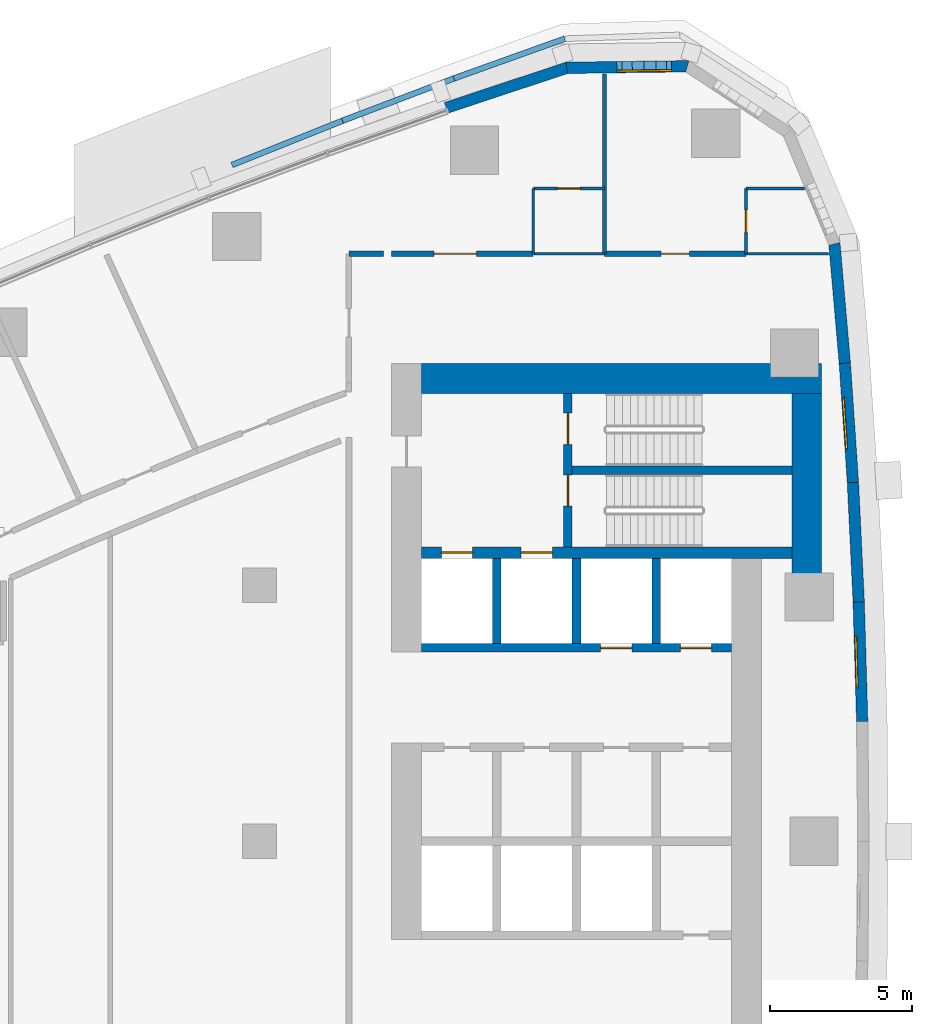
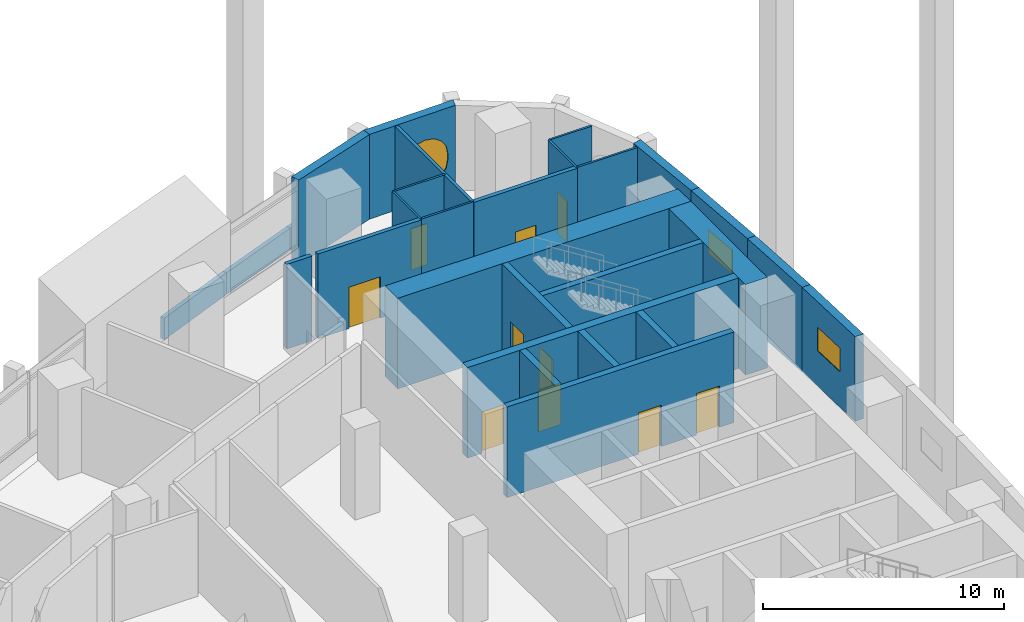
# One storey, part 11 of 17: 28 walls, 10 doors, 3 windows, 13 openings.
"""IFC4 building model written with IfcOpenShell, lengths in metres."""

from ifc_helpers import new_model, si_unit, direction, frame, frame_2d, origin, place, context, subcontext, project, spatial, polyline, rectangle, outline, extrude, material, layer, layer_set, type_object, element, fill, save


model = new_model("IFC4")

# Units and contexts
model_context = context("Model", 3, precision=1e-05, world=origin(), true_north=direction((0.0, 1.0)))
body_context = subcontext(model_context, "Body", "Model", "MODEL_VIEW")
ifc_project = project(units=[si_unit("LENGTHUNIT", "METRE"), si_unit("AREAUNIT", "SQUARE_METRE"), si_unit("VOLUMEUNIT", "CUBIC_METRE"), si_unit("PLANEANGLEUNIT", "RADIAN"), si_unit("MASSUNIT", "GRAM", prefix="KILO")], contexts=[model_context])

# Site, building, storey
site_placement = place(None, origin())
site = spatial("IfcSite", under=ifc_project, at=site_placement, CompositionType="ELEMENT")
building_placement = place(site_placement, origin())
building = spatial("IfcBuilding", under=site, at=building_placement, Name="Ostrand Prow Hotel Tower", CompositionType="ELEMENT")
storey_placement = place(building_placement, frame((0.0, 0.0, 80.300048828125)))
storey = spatial("IfcBuildingStorey", under=building, at=storey_placement, Name="L18", CompositionType="ELEMENT", Elevation=80.300048828125)

# Walls
ifc_material_1 = material(Name="Concrete C80/95", Category="concrete")
ifc_layer_1 = layer(ifc_material_1, 1.050048828125)
ifc_layer_set_1 = layer_set([ifc_layer_1], Name="Concrete C80/95")
wall_type_1 = type_object("IfcWallType", Name="Core wall 1050 C80/95", PredefinedType="SHEAR", material=ifc_layer_set_1)
wall_1_placement = place(storey_placement, frame((50.699951171875, 16.27490234375, 0.0), z_axis=(0.0, 0.0, 1.0), x_axis=(1.0, 0.0, 0.0)))
element("IfcWall", 1, at=wall_1_placement, inside=storey, type_object=wall_type_1, Name="Core wall CW-N", PredefinedType="SHEAR", context=body_context, shape_type="SweptSolid", body=[
    extrude(rectangle(XDim=14.070068359375, YDim=1.050048828125, at=frame_2d((7.03515625, 0.0))), origin(), (0.0, 0.0, 1.0), 4.599853515625),
])
wall_2_placement = place(storey_placement, frame((64.2451171875, 9.388671875, 0.0), z_axis=(0.0, 0.0, 1.0), x_axis=(0.0, 1.0, 0.0)))
element("IfcWall", 2, at=wall_2_placement, inside=storey, type_object=wall_type_1, Name="Core wall CW-E-N", PredefinedType="SHEAR", context=body_context, shape_type="SweptSolid", body=[
    extrude(rectangle(XDim=6.361328125, YDim=1.050048828125, at=frame_2d((3.1806640625, 0.0))), origin(), (0.0, 0.0, 1.0), 4.599853515625),
])

# Wall, openings, doors
ifc_material_2 = material(Name="Concrete C80/95", Category="concrete")
ifc_layer_2 = layer(ifc_material_2, 0.300048828125)
ifc_layer_set_2 = layer_set([ifc_layer_2], Name="Concrete C80/95")
wall_type_2 = type_object("IfcWallType", Name="Core wall 300 C80/95", PredefinedType="SHEAR", material=ifc_layer_set_2)
wall_3_placement = place(storey_placement, frame((50.699951171875, 6.800048828125, 0.0), z_axis=(0.0, 0.0, 1.0), x_axis=(1.0, 0.0, 0.0)))
wall_3 = element("IfcWall", 3, at=wall_3_placement, inside=storey, type_object=wall_type_2, Name="Core wall PW-L2-N", PredefinedType="SHEAR", context=body_context, shape_type="SweptSolid", body=[
    extrude(rectangle(XDim=10.900146484375, YDim=0.300048828125, at=frame_2d((5.4501953125, 0.0))), origin(), (0.0, 0.0, 1.0), 4.599853515625),
])
opening_1_placement = place(wall_3_placement, frame((6.300048828125, 0.0, 0.0)))
opening_1 = element("IfcOpeningElement", 4, at=opening_1_placement, cuts=wall_3, Name="Opening LD", PredefinedType="OPENING", context=body_context, shape_type="SweptSolid", body=[
    extrude(rectangle(XDim=1.10009765625, YDim=2.10009765625, at=frame_2d((0.550048828125, 1.050048828125))), frame((0.0, 0.159912109375, 0.0), z_axis=(0.0, -1.0, 0.0), x_axis=(1.0, 0.0, 0.0)), (0.0, 0.0, 1.0), 0.320068359375),
])
opening_2_placement = place(wall_3_placement, frame((9.10009765625, 0.0, 0.0)))
opening_2 = element("IfcOpeningElement", 5, at=opening_2_placement, cuts=wall_3, Name="Opening LD", PredefinedType="OPENING", context=body_context, shape_type="SweptSolid", body=[
    extrude(rectangle(XDim=1.10009765625, YDim=2.10009765625, at=frame_2d((0.550048828125, 1.050048828125))), frame((0.0, 0.159912109375, 0.0), z_axis=(0.0, -1.0, 0.0), x_axis=(1.0, 0.0, 0.0)), (0.0, 0.0, 1.0), 0.320068359375),
])
ifc_material_3 = material(Name="Stainless steel door", Category="steel")
door_type_1 = type_object("IfcDoorType", Name="Lift landing door 1100", OperationType="DOUBLE_DOOR_SLIDING", PredefinedType="DOOR", material=ifc_material_3)
door_1_placement = place(opening_1_placement, origin())
door_1 = element("IfcDoor", 6, at=door_1_placement, inside=storey, type_object=door_type_1, Name="LIFT LANDING DOOR", OperationType="DOUBLE_DOOR_SLIDING", OverallHeight=2.10009765625, OverallWidth=1.10009765625, PredefinedType="DOOR", context=body_context, shape_type="SweptSolid", body=[
    extrude(rectangle(XDim=1.10009765625, YDim=2.10009765625, at=frame_2d((0.550048828125, 1.050048828125))), frame((0.0, 0.02490234375, 0.0), z_axis=(0.0, -1.0, 0.0), x_axis=(1.0, 0.0, 0.0)), (0.0, 0.0, 1.0), 0.050048828125),
])
fill(opening_1, door_1)
door_2_placement = place(opening_2_placement, origin())
door_2 = element("IfcDoor", 7, at=door_2_placement, inside=storey, type_object=door_type_1, Name="LIFT LANDING DOOR", OperationType="DOUBLE_DOOR_SLIDING", OverallHeight=2.10009765625, OverallWidth=1.10009765625, PredefinedType="DOOR", context=body_context, shape_type="SweptSolid", body=[
    extrude(rectangle(XDim=1.10009765625, YDim=2.10009765625, at=frame_2d((0.550048828125, 1.050048828125))), frame((0.0, 0.02490234375, 0.0), z_axis=(0.0, -1.0, 0.0), x_axis=(1.0, 0.0, 0.0)), (0.0, 0.0, 1.0), 0.050048828125),
])
fill(opening_2, door_2)

# Walls
for number, where, z_axis, x_axis, name in (
    (8, (53.35009765625, 6.949951171875, 0.0), (0.0, 0.0, 1.0), (0.0, 1.0, 0.0), "Core wall PW-R1-NA"),
    (9, (56.14990234375, 6.949951171875, 0.0), (0.0, 0.0, 1.0), (0.0, 1.0, 0.0), "Core wall PW-R2-NA"),
    (10, (58.949951171875, 6.949951171875, 0.0), (0.0, 0.0, 1.0), (0.0, 1.0, 0.0), "Core wall PW-R3-NA"),
):
    element("IfcWall", number, at=place(storey_placement, frame(where, z_axis=z_axis, x_axis=x_axis)), inside=storey, type_object=wall_type_2, Name=name, PredefinedType="SHEAR", context=body_context, shape_type="SweptSolid", body=[
        extrude(rectangle(XDim=3.0, YDim=0.300048828125, at=frame_2d((1.5, 0.0))), origin(), (0.0, 0.0, 1.0), 4.599853515625),
    ])

# Wall, openings, doors
wall_4_placement = place(storey_placement, frame((55.85009765625, 10.35009765625, 0.0), z_axis=(0.0, 0.0, 1.0), x_axis=(0.0, 1.0, 0.0)))
wall_4 = element("IfcWall", 11, at=wall_4_placement, inside=storey, type_object=wall_type_2, Name="Core wall PW-VN", PredefinedType="SHEAR", context=body_context, shape_type="SweptSolid", body=[
    extrude(rectangle(XDim=5.39990234375, YDim=0.300048828125, at=frame_2d((2.699951171875, 0.0))), origin(), (0.0, 0.0, 1.0), 4.599853515625),
])
opening_3_placement = place(wall_4_placement, frame((1.429931640625, 0.0, 0.0)))
opening_3 = element("IfcOpeningElement", 12, at=opening_3_placement, cuts=wall_4, Name="Opening FD1", PredefinedType="OPENING", context=body_context, shape_type="SweptSolid", body=[
    extrude(rectangle(XDim=1.10009765625, YDim=2.10009765625, at=frame_2d((0.550048828125, 1.050048828125))), frame((0.0, 0.159912109375, 0.0), z_axis=(0.0, -1.0, 0.0), x_axis=(1.0, 0.0, 0.0)), (0.0, 0.0, 1.0), 0.320068359375),
])
opening_4_placement = place(wall_4_placement, frame((3.60009765625, 0.0, 0.0)))
opening_4 = element("IfcOpeningElement", 13, at=opening_4_placement, cuts=wall_4, Name="Opening FD1", PredefinedType="OPENING", context=body_context, shape_type="SweptSolid", body=[
    extrude(rectangle(XDim=1.10009765625, YDim=2.10009765625, at=frame_2d((0.550048828125, 1.050048828125))), frame((0.0, 0.159912109375, 0.0), z_axis=(0.0, -1.0, 0.0), x_axis=(1.0, 0.0, 0.0)), (0.0, 0.0, 1.0), 0.320068359375),
])
ifc_material_4 = material(Name="Steel fire door", Category="steel")
door_type_2 = type_object("IfcDoorType", Name="Fire door 1100 EI120", OperationType="SINGLE_SWING_RIGHT", PredefinedType="DOOR", material=ifc_material_4)
door_3_placement = place(opening_3_placement, origin())
door_3 = element("IfcDoor", 14, at=door_3_placement, inside=storey, type_object=door_type_2, Name="FIRE DOOR", OperationType="SINGLE_SWING_RIGHT", OverallHeight=2.10009765625, OverallWidth=1.10009765625, PredefinedType="DOOR", context=body_context, shape_type="SweptSolid", body=[
    extrude(rectangle(XDim=1.10009765625, YDim=2.10009765625, at=frame_2d((0.550048828125, 1.050048828125))), frame((0.0, 0.02490234375, 0.0), z_axis=(0.0, -1.0, 0.0), x_axis=(1.0, 0.0, 0.0)), (0.0, 0.0, 1.0), 0.050048828125),
])
fill(opening_3, door_3)
door_4_placement = place(opening_4_placement, origin())
door_4 = element("IfcDoor", 15, at=door_4_placement, inside=storey, type_object=door_type_2, Name="FIRE DOOR", OperationType="SINGLE_SWING_RIGHT", OverallHeight=2.10009765625, OverallWidth=1.10009765625, PredefinedType="DOOR", context=body_context, shape_type="SweptSolid", body=[
    extrude(rectangle(XDim=1.10009765625, YDim=2.10009765625, at=frame_2d((0.550048828125, 1.050048828125))), frame((0.0, 0.02490234375, 0.0), z_axis=(0.0, -1.0, 0.0), x_axis=(1.0, 0.0, 0.0)), (0.0, 0.0, 1.0), 0.050048828125),
])
fill(opening_4, door_4)

# Wall
wall_5_placement = place(storey_placement, frame((56.0, 13.050048828125, 0.0), z_axis=(0.0, 0.0, 1.0), x_axis=(1.0, 0.0, 0.0)))
element("IfcWall", 16, at=wall_5_placement, inside=storey, type_object=wall_type_2, Name="Core wall PW-ST13", PredefinedType="SHEAR", context=body_context, shape_type="SweptSolid", body=[
    extrude(rectangle(XDim=7.719970703125, YDim=0.300048828125, at=frame_2d((3.85986328125, 0.0))), origin(), (0.0, 0.0, 1.0), 4.599853515625),
])

# Wall, openings, doors
ifc_material_5 = material(Name="Concrete C80/95", Category="concrete")
ifc_layer_3 = layer(ifc_material_5, 0.39990234375)
ifc_layer_set_3 = layer_set([ifc_layer_3], Name="Concrete C80/95")
wall_type_3 = type_object("IfcWallType", Name="Core wall 400 C80/95", PredefinedType="SHEAR", material=ifc_layer_set_3)
wall_6_placement = place(storey_placement, frame((50.699951171875, 10.14990234375, 0.0), z_axis=(0.0, 0.0, 1.0), x_axis=(1.0, 0.0, 0.0)))
wall_6 = element("IfcWall", 17, at=wall_6_placement, inside=storey, type_object=wall_type_3, Name="Core wall PW-BN", PredefinedType="SHEAR", context=body_context, shape_type="SweptSolid", body=[
    extrude(rectangle(XDim=13.02001953125, YDim=0.39990234375, at=frame_2d((6.510009765625, 0.0))), origin(), (0.0, 0.0, 1.0), 4.599853515625),
])
opening_5_placement = place(wall_6_placement, frame((0.699951171875, 0.0, 0.0)))
opening_5 = element("IfcOpeningElement", 18, at=opening_5_placement, cuts=wall_6, Name="Opening LD", PredefinedType="OPENING", context=body_context, shape_type="SweptSolid", body=[
    extrude(rectangle(XDim=1.10009765625, YDim=2.10009765625, at=frame_2d((0.550048828125, 1.050048828125))), frame((0.0, 0.2099609375, 0.0), z_axis=(0.0, -1.0, 0.0), x_axis=(1.0, 0.0, 0.0)), (0.0, 0.0, 1.0), 0.419921875),
])
opening_6_placement = place(wall_6_placement, frame((3.5, 0.0, 0.0)))
opening_6 = element("IfcOpeningElement", 19, at=opening_6_placement, cuts=wall_6, Name="Opening LD", PredefinedType="OPENING", context=body_context, shape_type="SweptSolid", body=[
    extrude(rectangle(XDim=1.10009765625, YDim=2.10009765625, at=frame_2d((0.550048828125, 1.050048828125))), frame((0.0, 0.2099609375, 0.0), z_axis=(0.0, -1.0, 0.0), x_axis=(1.0, 0.0, 0.0)), (0.0, 0.0, 1.0), 0.419921875),
])
door_5_placement = place(opening_5_placement, origin())
door_5 = element("IfcDoor", 20, at=door_5_placement, inside=storey, type_object=door_type_1, Name="LIFT LANDING DOOR", OperationType="DOUBLE_DOOR_SLIDING", OverallHeight=2.10009765625, OverallWidth=1.10009765625, PredefinedType="DOOR", context=body_context, shape_type="SweptSolid", body=[
    extrude(rectangle(XDim=1.10009765625, YDim=2.10009765625, at=frame_2d((0.550048828125, 1.050048828125))), frame((0.0, 0.02490234375, 0.0), z_axis=(0.0, -1.0, 0.0), x_axis=(1.0, 0.0, 0.0)), (0.0, 0.0, 1.0), 0.050048828125),
])
fill(opening_5, door_5)
door_6_placement = place(opening_6_placement, origin())
door_6 = element("IfcDoor", 21, at=door_6_placement, inside=storey, type_object=door_type_1, Name="LIFT LANDING DOOR", OperationType="DOUBLE_DOOR_SLIDING", OverallHeight=2.10009765625, OverallWidth=1.10009765625, PredefinedType="DOOR", context=body_context, shape_type="SweptSolid", body=[
    extrude(rectangle(XDim=1.10009765625, YDim=2.10009765625, at=frame_2d((0.550048828125, 1.050048828125))), frame((0.0, 0.02490234375, 0.0), z_axis=(0.0, -1.0, 0.0), x_axis=(1.0, 0.0, 0.0)), (0.0, 0.0, 1.0), 0.050048828125),
])
fill(opening_6, door_6)

# Wall
ifc_material_6 = material(Name="Plasterboard partition")
ifc_layer_4 = layer(ifc_material_6, 0.10009765625)
ifc_layer_set_4 = layer_set([ifc_layer_4], Name="Plasterboard partition")
wall_type_4 = type_object("IfcWallType", Name="Partition 100 bathroom wall", PredefinedType="PARTITIONING", material=ifc_layer_set_4)
wall_7_placement = place(storey_placement, frame((54.630615234375, 20.64990234375, 0.0), z_axis=(0.0, 0.0, 1.0), x_axis=(0.0, 1.0, 0.0)))
element("IfcWall", 22, at=wall_7_placement, inside=storey, type_object=wall_type_4, Name="BATHROOM WALL", PredefinedType="PARTITIONING", context=body_context, shape_type="SweptSolid", body=[
    extrude(rectangle(XDim=2.300048828125, YDim=0.10009765625, at=frame_2d((1.14990234375, 0.0))), origin(), (0.0, 0.0, 1.0), 4.300048828125),
])

# Wall, opening, door
wall_8_placement = place(storey_placement, frame((54.630615234375, 22.949951171875, 0.0), z_axis=(0.0, 0.0, 1.0), x_axis=(1.0, 0.0, 0.0)))
wall_8 = element("IfcWall", 23, at=wall_8_placement, inside=storey, type_object=wall_type_4, Name="BATHROOM WALL", PredefinedType="PARTITIONING", context=body_context, shape_type="SweptSolid", body=[
    extrude(rectangle(XDim=2.5, YDim=0.10009765625, at=frame_2d((1.25, 0.0))), origin(), (0.0, 0.0, 1.0), 4.300048828125),
])
opening_7_placement = place(wall_8_placement, frame((0.85009765625, 0.0, 0.0)))
opening_7 = element("IfcOpeningElement", 24, at=opening_7_placement, cuts=wall_8, Name="Opening D2", PredefinedType="OPENING", context=body_context, shape_type="SweptSolid", body=[
    extrude(rectangle(XDim=0.800048828125, YDim=2.10009765625, at=frame_2d((0.39990234375, 1.050048828125))), frame((0.0, 0.06005859375, 0.0), z_axis=(0.0, -1.0, 0.0), x_axis=(1.0, 0.0, 0.0)), (0.0, 0.0, 1.0), 0.1201171875),
])
ifc_material_7 = material(Name="Timber door leaf", Category="wood")
door_type_3 = type_object("IfcDoorType", Name="Bathroom door 800", OperationType="SINGLE_SWING_LEFT", PredefinedType="DOOR", material=ifc_material_7)
door_7_placement = place(opening_7_placement, origin())
door_7 = element("IfcDoor", 25, at=door_7_placement, inside=storey, type_object=door_type_3, Name="DOOR", OperationType="SINGLE_SWING_LEFT", OverallHeight=2.10009765625, OverallWidth=0.800048828125, PredefinedType="DOOR", context=body_context, shape_type="SweptSolid", body=[
    extrude(rectangle(XDim=0.800048828125, YDim=2.10009765625, at=frame_2d((0.39990234375, 1.050048828125))), frame((0.0, 0.02490234375, 0.0), z_axis=(0.0, -1.0, 0.0), x_axis=(1.0, 0.0, 0.0)), (0.0, 0.0, 1.0), 0.050048828125),
])
fill(opening_7, door_7)

wall_9_placement = place(storey_placement, frame((62.111083984375, 20.64990234375, 0.0), z_axis=(0.0, 0.0, 1.0), x_axis=(0.0, 1.0, 0.0)))
wall_9 = element("IfcWall", 26, at=wall_9_placement, inside=storey, type_object=wall_type_4, Name="BATHROOM WALL", PredefinedType="PARTITIONING", context=body_context, shape_type="SweptSolid", body=[
    extrude(rectangle(XDim=2.300048828125, YDim=0.10009765625, at=frame_2d((1.14990234375, 0.0))), origin(), (0.0, 0.0, 1.0), 4.300048828125),
])
opening_8_placement = place(wall_9_placement, frame((0.75, 0.0, 0.0)))
opening_8 = element("IfcOpeningElement", 27, at=opening_8_placement, cuts=wall_9, Name="Opening D2", PredefinedType="OPENING", context=body_context, shape_type="SweptSolid", body=[
    extrude(rectangle(XDim=0.800048828125, YDim=2.10009765625, at=frame_2d((0.39990234375, 1.050048828125))), frame((0.0, 0.06005859375, 0.0), z_axis=(0.0, -1.0, 0.0), x_axis=(1.0, 0.0, 0.0)), (0.0, 0.0, 1.0), 0.1201171875),
])
door_8_placement = place(opening_8_placement, origin())
door_8 = element("IfcDoor", 28, at=door_8_placement, inside=storey, type_object=door_type_3, Name="DOOR", OperationType="SINGLE_SWING_LEFT", OverallHeight=2.10009765625, OverallWidth=0.800048828125, PredefinedType="DOOR", context=body_context, shape_type="SweptSolid", body=[
    extrude(rectangle(XDim=0.800048828125, YDim=2.10009765625, at=frame_2d((0.39990234375, 1.050048828125))), frame((0.0, 0.02490234375, 0.0), z_axis=(0.0, -1.0, 0.0), x_axis=(1.0, 0.0, 0.0)), (0.0, 0.0, 1.0), 0.050048828125),
])
fill(opening_8, door_8)

# Walls
wall_10_placement = place(storey_placement, frame((62.111083984375, 22.949951171875, 0.0), z_axis=(0.0, 0.0, 1.0), x_axis=(1.0, 0.0, 0.0)))
element("IfcWall", 29, at=wall_10_placement, inside=storey, type_object=wall_type_4, Name="BATHROOM WALL", PredefinedType="PARTITIONING", context=body_context, shape_type="SweptSolid", body=[
    extrude(rectangle(XDim=2.04931640625, YDim=0.10009765625, at=frame_2d((1.024658203125, 0.0))), origin(), (0.0, 0.0, 1.0), 4.300048828125),
])
wall_11_placement = place(storey_placement, frame((57.130615234375, 20.655029296875, 0.0), z_axis=(0.0, 0.0, 1.0), x_axis=(-1.0, 0.0, 0.0)))
element("IfcWall", 30, at=wall_11_placement, inside=storey, type_object=wall_type_4, Name="BATHROOM WALL", PredefinedType="PARTITIONING", context=body_context, shape_type="SweptSolid", body=[
    extrude(rectangle(XDim=2.5, YDim=0.10009765625, at=frame_2d((1.25, 0.0))), origin(), (0.0, 0.0, 1.0), 4.300048828125),
])
wall_12_placement = place(storey_placement, frame((65.016845703125, 20.655029296875, 0.0), z_axis=(0.0, 0.0, 1.0), x_axis=(-1.0, 0.0, 0.0)))
element("IfcWall", 31, at=wall_12_placement, inside=storey, type_object=wall_type_4, Name="BATHROOM WALL", PredefinedType="PARTITIONING", context=body_context, shape_type="SweptSolid", body=[
    extrude(rectangle(XDim=2.90576171875, YDim=0.10009765625, at=frame_2d((1.452880859375, 0.0))), origin(), (0.0, 0.0, 1.0), 4.300048828125),
])
ifc_material_8 = material(Name="Plasterboard partition")
ifc_layer_5 = layer(ifc_material_8, 0.14990234375)
ifc_layer_set_5 = layer_set([ifc_layer_5], Name="Plasterboard partition")
wall_type_5 = type_object("IfcWallType", Name="Partition 150 room partition", PredefinedType="PARTITIONING", material=ifc_layer_set_5)
wall_13_placement = place(storey_placement, frame((57.130615234375, 20.64990234375, 0.0), z_axis=(0.0, 0.0, 1.0), x_axis=(0.0, 1.0, 0.0)))
element("IfcWall", 32, at=wall_13_placement, inside=storey, type_object=wall_type_5, Name="ROOM PARTITION", PredefinedType="PARTITIONING", context=body_context, shape_type="SweptSolid", body=[
    extrude(rectangle(XDim=6.3291015625, YDim=0.14990234375, at=frame_2d((3.16455078125, 0.0))), origin(), (0.0, 0.0, 1.0), 4.300048828125),
])

# Wall, opening, door
ifc_material_9 = material(Name="Plasterboard partition")
ifc_layer_6 = layer(ifc_material_9, 0.199951171875)
ifc_layer_set_6 = layer_set([ifc_layer_6], Name="Plasterboard partition")
wall_type_6 = type_object("IfcWallType", Name="Partition 200 corridor wall", PredefinedType="PARTITIONING", material=ifc_layer_set_6)
wall_14_placement = place(storey_placement, frame((54.62548828125, 20.655029296875, 0.0), z_axis=(0.0, 0.0, 1.0), x_axis=(-1.0, 0.0, 0.0)))
wall_14 = element("IfcWall", 33, at=wall_14_placement, inside=storey, type_object=wall_type_6, Name="CORRIDOR WALL", PredefinedType="PARTITIONING", context=body_context, shape_type="SweptSolid", body=[
    extrude(rectangle(XDim=4.9755859375, YDim=0.199951171875, at=frame_2d((2.48779296875, 0.0))), origin(), (0.0, 0.0, 1.0), 4.300048828125),
])
opening_9_placement = place(wall_14_placement, frame((1.98779296875, 0.0, 0.0)))
opening_9 = element("IfcOpeningElement", 34, at=opening_9_placement, cuts=wall_14, Name="Opening D15", PredefinedType="OPENING", context=body_context, shape_type="SweptSolid", body=[
    extrude(rectangle(XDim=1.5, YDim=2.10009765625, at=frame_2d((0.75, 1.050048828125))), frame((0.0, 0.10986328125, 0.0), z_axis=(0.0, -1.0, 0.0), x_axis=(1.0, 0.0, 0.0)), (0.0, 0.0, 1.0), 0.219970703125),
])
ifc_material_10 = material(Name="Timber door leaf", Category="wood")
door_type_4 = type_object("IfcDoorType", Name="Double door 1500", OperationType="DOUBLE_DOOR_SINGLE_SWING", PredefinedType="DOOR", material=ifc_material_10)
door_9_placement = place(opening_9_placement, origin())
door_9 = element("IfcDoor", 35, at=door_9_placement, inside=storey, type_object=door_type_4, Name="DOOR", OperationType="DOUBLE_DOOR_SINGLE_SWING", OverallHeight=2.10009765625, OverallWidth=1.5, PredefinedType="DOOR", context=body_context, shape_type="SweptSolid", body=[
    extrude(rectangle(XDim=1.5, YDim=2.10009765625, at=frame_2d((0.75, 1.050048828125))), frame((0.0, 0.02490234375, 0.0), z_axis=(0.0, -1.0, 0.0), x_axis=(1.0, 0.0, 0.0)), (0.0, 0.0, 1.0), 0.050048828125),
])
fill(opening_9, door_9)

wall_15_placement = place(storey_placement, frame((62.106201171875, 20.655029296875, 0.0), z_axis=(0.0, 0.0, 1.0), x_axis=(-1.0, 0.0, 0.0)))
wall_15 = element("IfcWall", 36, at=wall_15_placement, inside=storey, type_object=wall_type_6, Name="CORRIDOR WALL", PredefinedType="PARTITIONING", context=body_context, shape_type="SweptSolid", body=[
    extrude(rectangle(XDim=4.970703125, YDim=0.199951171875, at=frame_2d((2.4853515625, 0.0))), origin(), (0.0, 0.0, 1.0), 4.300048828125),
])
opening_10_placement = place(wall_15_placement, frame((1.9853515625, 0.0, 0.0)))
opening_10 = element("IfcOpeningElement", 37, at=opening_10_placement, cuts=wall_15, Name="Opening D1", PredefinedType="OPENING", context=body_context, shape_type="SweptSolid", body=[
    extrude(rectangle(XDim=1.0, YDim=2.10009765625, at=frame_2d((0.5, 1.050048828125))), frame((0.0, 0.10986328125, 0.0), z_axis=(0.0, -1.0, 0.0), x_axis=(1.0, 0.0, 0.0)), (0.0, 0.0, 1.0), 0.219970703125),
])
ifc_material_11 = material(Name="Timber door leaf", Category="wood")
door_type_5 = type_object("IfcDoorType", Name="Guest room door 1000", OperationType="SINGLE_SWING_LEFT", PredefinedType="DOOR", material=ifc_material_11)
door_10_placement = place(opening_10_placement, origin())
door_10 = element("IfcDoor", 38, at=door_10_placement, inside=storey, type_object=door_type_5, Name="DOOR", OperationType="SINGLE_SWING_LEFT", OverallHeight=2.10009765625, OverallWidth=1.0, PredefinedType="DOOR", context=body_context, shape_type="SweptSolid", body=[
    extrude(rectangle(XDim=1.0, YDim=2.10009765625, at=frame_2d((0.5, 1.050048828125))), frame((0.0, 0.02490234375, 0.0), z_axis=(0.0, -1.0, 0.0), x_axis=(1.0, 0.0, 0.0)), (0.0, 0.0, 1.0), 0.050048828125),
])
fill(opening_10, door_10)

# Walls
wall_16_placement = place(storey_placement, frame((49.36181640625, 20.655029296875, 0.0), z_axis=(0.0, 0.0, 1.0), x_axis=(-0.999996595549, -0.002609384934, 0.0)))
element("IfcWall", 39, at=wall_16_placement, inside=storey, type_object=wall_type_6, Name="CORRIDOR WALL", PredefinedType="PARTITIONING", context=body_context, shape_type="SweptSolid", body=[
    extrude(rectangle(XDim=1.21630859375, YDim=0.199951171875, at=frame_2d((0.608154296875, 0.0))), origin(), (0.0, 0.0, 1.0), 4.300048828125),
])
ifc_material_12 = material(Name="Precast concrete C40/50", Category="concrete")
ifc_layer_7 = layer(ifc_material_12, 0.199951171875)
ifc_layer_set_7 = layer_set([ifc_layer_7], Name="Precast concrete C40/50")
wall_type_7 = type_object("IfcWallType", Name="Roof parapet 200 mm precast concrete", PredefinedType="PARAPET", material=ifc_layer_set_7)
wall_17_placement = place(storey_placement, frame((55.73974609375, 28.2158203125, 0.0), z_axis=(0.0, 0.0, 1.0), x_axis=(-0.941329520921, -0.337488863584, 0.0)))
element("IfcWall", 40, at=wall_17_placement, inside=storey, type_object=wall_type_7, Name="Roof parapet LPR0 1.18", PredefinedType="PARAPET", context=body_context, shape_type="SweptSolid", body=[
    extrude(rectangle(XDim=4.145751953125, YDim=0.199951171875, at=frame_2d((2.07275390625, 0.0))), origin(), (0.0, 0.0, 1.0), 1.099853515625),
])
for number, where, z_axis, x_axis, name in (
    (41, (51.837158203125, 26.816650390625, 0.0), (0.0, 0.0, 1.0), (-0.934958169598, -0.354757975388, 0.0), "Roof parapet LPR0 1.19"),
    (42, (47.923828125, 25.331787109375, 0.0), (0.0, 0.0, 1.0), (-0.928295561605, -0.371843179719, 0.0), "Roof parapet LPR0 1.20"),
):
    element("IfcWall", number, at=place(storey_placement, frame(where, z_axis=z_axis, x_axis=x_axis)), inside=storey, type_object=wall_type_7, Name=name, PredefinedType="PARAPET", context=body_context, shape_type="SweptSolid", body=[
        extrude(rectangle(XDim=4.185546875, YDim=0.199951171875, at=frame_2d((2.0927734375, 0.0))), origin(), (0.0, 0.0, 1.0), 1.099853515625),
    ])

# Wall, opening, window
ifc_material_13 = material(Name="Precast concrete C40/50", Category="concrete")
ifc_layer_8 = layer(ifc_material_13, 0.39990234375)
ifc_layer_set_8 = layer_set([ifc_layer_8], Name="Precast concrete C40/50")
wall_type_8 = type_object("IfcWallType", Name="Stone-faced precast wall 400 mm", PredefinedType="NOTDEFINED", material=ifc_layer_set_8)
wall_18_placement = place(storey_placement, frame((66.193603515625, 4.20654296875, 0.0), z_axis=(0.0, 0.0, 1.0), x_axis=(-0.02901703777, 0.999578917104, 0.0)))
wall_18 = element("IfcWall", 43, at=wall_18_placement, inside=storey, type_object=wall_type_8, Name="Stone-faced wall back 11", PredefinedType="NOTDEFINED", context=body_context, shape_type="SweptSolid", body=[
    extrude(outline(polyline([(-0.001953125, -0.199951171875), (4.208740234375, -0.199951171875), (4.204833984375, 0.199951171875), (0.001953125, 0.199951171875), (-0.001953125, -0.199951171875)])), origin(), (0.0, 0.0, 1.0), 4.300048828125),
])
opening_11_placement = place(wall_18_placement, frame((1.203369140625, 0.0, 1.800048828125)))
opening_11 = element("IfcOpeningElement", 44, at=opening_11_placement, cuts=wall_18, Name="Opening WC1", PredefinedType="OPENING", context=body_context, shape_type="SweptSolid", body=[
    extrude(rectangle(XDim=1.800048828125, YDim=1.199951171875, at=frame_2d((0.89990234375, 0.60009765625))), frame((0.0, 0.2099609375, 0.0), z_axis=(0.0, -1.0, 0.0), x_axis=(1.0, 0.0, 0.0)), (0.0, 0.0, 1.0), 0.419921875),
])
ifc_material_14 = material(Name="Insulated glass in bronze frame", Category="glass")
window_type_1 = type_object("IfcWindowType", Name="Sky lobby clerestory window 1800x1200", PartitioningType="SINGLE_PANEL", PredefinedType="WINDOW", material=ifc_material_14)
window_1_placement = place(opening_11_placement, origin())
window_1 = element("IfcWindow", 45, at=window_1_placement, inside=storey, type_object=window_type_1, Name="Window back 11.1", OverallHeight=1.199951171875, OverallWidth=1.800048828125, PartitioningType="SINGLE_PANEL", PredefinedType="WINDOW", context=body_context, shape_type="SweptSolid", body=[
    extrude(rectangle(XDim=1.800048828125, YDim=1.199951171875, at=frame_2d((0.89990234375, 0.60009765625))), frame((0.0, 0.169921875, 0.0), z_axis=(0.0, -1.0, 0.0), x_axis=(1.0, 0.0, 0.0)), (0.0, 0.0, 1.0), 0.06005859375),
])
fill(opening_11, window_1)

# Wall
wall_19_placement = place(storey_placement, frame((66.071533203125, 8.41162109375, 0.0), z_axis=(0.0, 0.0, 1.0), x_axis=(-0.048342691508, 0.998830808585, 0.0)))
element("IfcWall", 46, at=wall_19_placement, inside=storey, type_object=wall_type_8, Name="Stone-faced wall back 12", PredefinedType="NOTDEFINED", context=body_context, shape_type="SweptSolid", body=[
    extrude(outline(polyline([(-0.001953125, -0.199951171875), (4.208740234375, -0.199951171875), (4.204833984375, 0.199951171875), (0.001953125, 0.199951171875), (-0.001953125, -0.199951171875)])), origin(), (0.0, 0.0, 1.0), 4.300048828125),
])

# Wall, opening, window
wall_20_placement = place(storey_placement, frame((65.8681640625, 12.613525390625, 0.0), z_axis=(0.0, 0.0, 1.0), x_axis=(-0.067724559895, 0.997704056315, 0.0)))
wall_20 = element("IfcWall", 47, at=wall_20_placement, inside=storey, type_object=wall_type_8, Name="Stone-faced wall back 13", PredefinedType="NOTDEFINED", context=body_context, shape_type="SweptSolid", body=[
    extrude(outline(polyline([(-0.001953125, -0.199951171875), (4.208984375, -0.199951171875), (4.205078125, 0.199951171875), (0.001953125, 0.199951171875), (-0.001953125, -0.199951171875)])), origin(), (0.0, 0.0, 1.0), 4.300048828125),
])
opening_12_placement = place(wall_20_placement, frame((1.203369140625, 0.0, 1.800048828125)))
opening_12 = element("IfcOpeningElement", 48, at=opening_12_placement, cuts=wall_20, Name="Opening WC1", PredefinedType="OPENING", context=body_context, shape_type="SweptSolid", body=[
    extrude(rectangle(XDim=1.800048828125, YDim=1.199951171875, at=frame_2d((0.89990234375, 0.60009765625))), frame((0.0, 0.2099609375, 0.0), z_axis=(0.0, -1.0, 0.0), x_axis=(1.0, 0.0, 0.0)), (0.0, 0.0, 1.0), 0.419921875),
])
window_2_placement = place(opening_12_placement, origin())
window_2 = element("IfcWindow", 49, at=window_2_placement, inside=storey, type_object=window_type_1, Name="Window back 13.1", OverallHeight=1.199951171875, OverallWidth=1.800048828125, PartitioningType="SINGLE_PANEL", PredefinedType="WINDOW", context=body_context, shape_type="SweptSolid", body=[
    extrude(rectangle(XDim=1.800048828125, YDim=1.199951171875, at=frame_2d((0.89990234375, 0.60009765625))), frame((0.0, 0.169921875, 0.0), z_axis=(0.0, -1.0, 0.0), x_axis=(1.0, 0.0, 0.0)), (0.0, 0.0, 1.0), 0.06005859375),
])
fill(opening_12, window_2)

# Wall
wall_21_placement = place(storey_placement, frame((65.583251953125, 16.810791015625, 0.0), z_axis=(0.0, 0.0, 1.0), x_axis=(-0.086992730434, 0.996208946382, 0.0)))
element("IfcWall", 50, at=wall_21_placement, inside=storey, type_object=wall_type_8, Name="Stone-faced wall back 14", PredefinedType="NOTDEFINED", context=body_context, shape_type="SweptSolid", body=[
    extrude(outline(polyline([(-0.001953125, -0.199951171875), (4.23779296875, -0.199951171875), (4.17578125, 0.199951171875), (0.001953125, 0.199951171875), (-0.001953125, -0.199951171875)])), origin(), (0.0, 0.0, 1.0), 4.300048828125),
])

# Wall, opening, window
wall_22_placement = place(storey_placement, frame((60.048583984375, 27.245849609375, 0.0), z_axis=(0.0, 0.0, 1.0), x_axis=(-0.999919718849, -0.012671063772, 0.0)))
wall_22 = element("IfcWall", 51, at=wall_22_placement, inside=storey, type_object=wall_type_8, Name="Stone-faced wall back 17", PredefinedType="NOTDEFINED", context=body_context, shape_type="SweptSolid", body=[
    extrude(outline(polyline([(-0.061279296875, -0.199951171875), (4.269775390625, -0.199951171875), (4.207763671875, 0.199951171875), (0.061279296875, 0.199951171875), (-0.061279296875, -0.199951171875)])), origin(), (0.0, 0.0, 1.0), 4.300048828125),
])
opening_13_placement = place(wall_22_placement, frame((0.418212890625, 0.0, 0.60009765625)))
opening_13 = element("IfcOpeningElement", 52, at=opening_13_placement, cuts=wall_22, Name="Opening WP2", PredefinedType="OPENING", context=body_context, shape_type="SweptSolid", body=[
    extrude(outline(polyline([(0.0, 1.35009765625), (0.083740234375, 1.77099609375), (0.322265625, 2.127685546875), (0.678955078125, 2.3662109375), (1.10009765625, 2.449951171875), (1.52099609375, 2.3662109375), (1.877685546875, 2.127685546875), (2.1162109375, 1.77099609375), (2.199951171875, 1.35009765625), (2.199951171875, 1.10009765625), (2.1162109375, 0.678955078125), (1.877685546875, 0.322265625), (1.52099609375, 0.083740234375), (1.10009765625, 0.0), (0.678955078125, 0.083740234375), (0.322265625, 0.322265625), (0.083740234375, 0.678955078125), (0.0, 1.099853515625), (0.0, 1.35009765625)])), frame((0.0, 0.2099609375, 0.0), z_axis=(0.0, -1.0, 0.0), x_axis=(1.0, 0.0, 0.0)), (0.0, 0.0, 1.0), 0.419921875),
])
ifc_material_15 = material(Name="Insulated glass in bronze frame", Category="glass")
window_type_2 = type_object("IfcWindowType", Name="Round-ended prow lounge window 2200x2450", PartitioningType="SINGLE_PANEL", PredefinedType="WINDOW", material=ifc_material_15)
window_3_placement = place(opening_13_placement, origin())
window_3 = element("IfcWindow", 53, at=window_3_placement, inside=storey, type_object=window_type_2, Name="Window back 17.1", OverallHeight=2.449951171875, OverallWidth=2.199951171875, PartitioningType="SINGLE_PANEL", PredefinedType="WINDOW", context=body_context, shape_type="SweptSolid", body=[
    extrude(outline(polyline([(0.0, 1.35009765625), (0.083740234375, 1.77099609375), (0.322265625, 2.127685546875), (0.678955078125, 2.3662109375), (1.10009765625, 2.449951171875), (1.52099609375, 2.3662109375), (1.877685546875, 2.127685546875), (2.1162109375, 1.77099609375), (2.199951171875, 1.35009765625), (2.199951171875, 1.10009765625), (2.1162109375, 0.678955078125), (1.877685546875, 0.322265625), (1.52099609375, 0.083740234375), (1.10009765625, 0.0), (0.678955078125, 0.083740234375), (0.322265625, 0.322265625), (0.083740234375, 0.678955078125), (0.0, 1.099853515625), (0.0, 1.35009765625)])), frame((0.0, 0.169921875, 0.0), z_axis=(0.0, -1.0, 0.0), x_axis=(1.0, 0.0, 0.0)), (0.0, 0.0, 1.0), 0.06005859375),
])
fill(opening_13, window_3)

# Wall
wall_23_placement = place(storey_placement, frame((55.81005859375, 27.192138671875, 0.0), z_axis=(0.0, 0.0, 1.0), x_axis=(-0.94925004851, -0.314522408429, 0.0)))
element("IfcWall", 54, at=wall_23_placement, inside=storey, type_object=wall_type_8, Name="Stone-faced wall back 18", PredefinedType="NOTDEFINED", context=body_context, shape_type="SweptSolid", body=[
    extrude(outline(polyline([(-0.031005859375, -0.199951171875), (4.468017578125, -0.199951171875), (4.468017578125, 0.199951171875), (0.031005859375, 0.199951171875), (-0.031005859375, -0.199951171875)])), origin(), (0.0, 0.0, 1.0), 4.300048828125),
])

save(model, "model.ifc")
